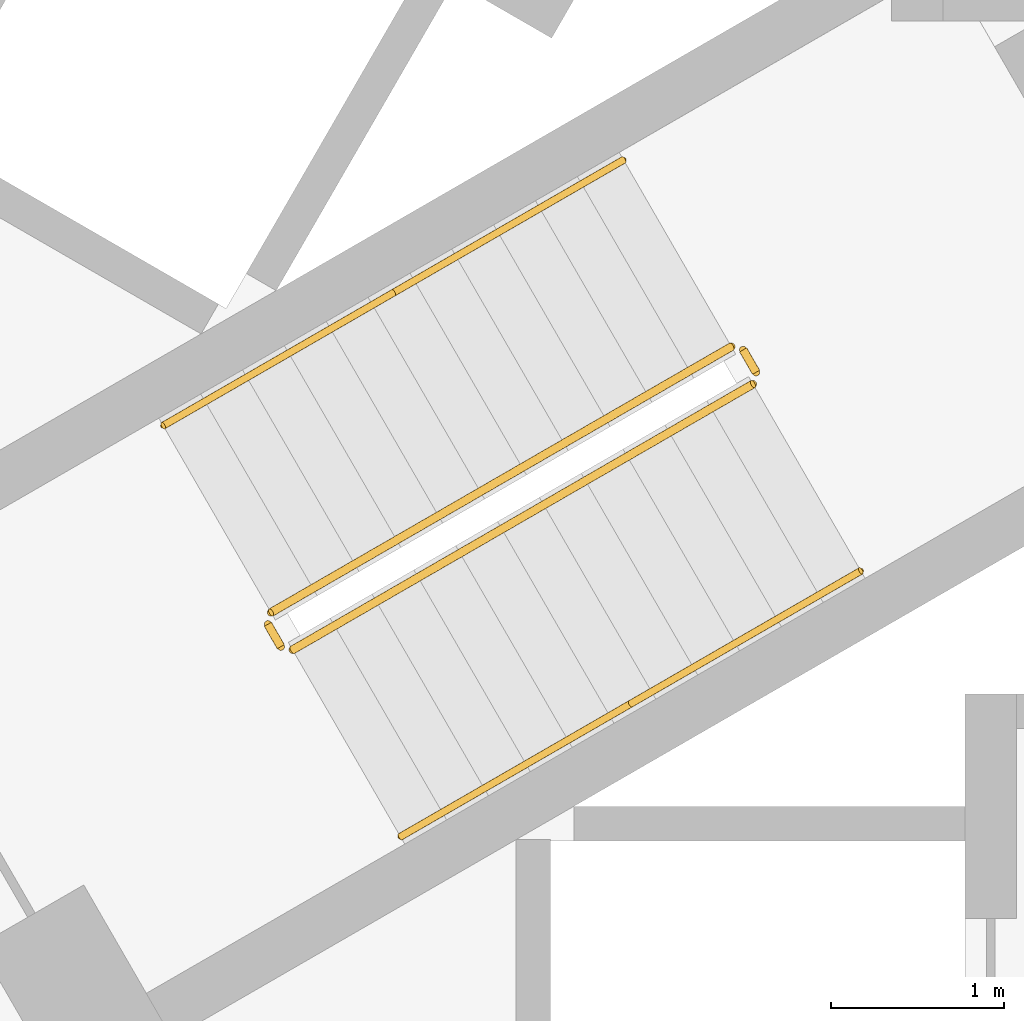
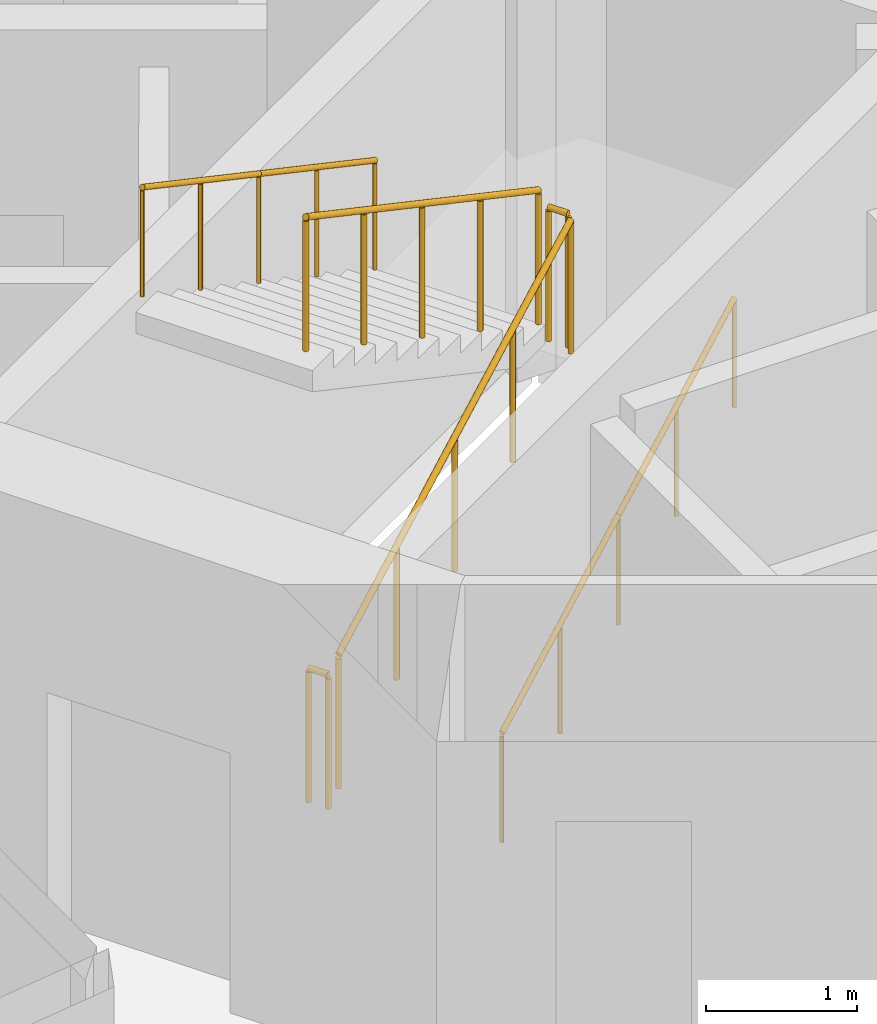
# One storey, part 11 of 15: 8 railings.
"""IFC4 building model written with IfcOpenShell, lengths in metres."""

from ifc_helpers import new_model, si_unit, direction, frame, origin, origin_2d, place, context, subcontext, project, spatial, circle, extrude, material, type_object, element, save


model = new_model("IFC4")

# Units and contexts
model_context = context("Model", 3, precision=1e-05, world=origin(), true_north=direction((0.0, 1.0)))
body_context = subcontext(model_context, "Body", "Model", "MODEL_VIEW")
ifc_project = project(units=[si_unit("LENGTHUNIT", "METRE"), si_unit("AREAUNIT", "SQUARE_METRE"), si_unit("VOLUMEUNIT", "CUBIC_METRE"), si_unit("PLANEANGLEUNIT", "RADIAN"), si_unit("MASSUNIT", "GRAM", prefix="KILO")], contexts=[model_context])

# Site, building, storey
site_placement = place(None, origin())
site = spatial("IfcSite", under=ifc_project, at=site_placement, CompositionType="ELEMENT")
building_placement = place(site_placement, origin())
building = spatial("IfcBuilding", under=site, at=building_placement, Name="Trine Commons Tower", CompositionType="ELEMENT")
storey_placement = place(building_placement, frame((0.0, 0.0, 260.10009765625)))
storey = spatial("IfcBuildingStorey", under=building, at=storey_placement, Name="L68", CompositionType="ELEMENT", Elevation=260.10009765625)

# Railings
ifc_material_1 = material(Name="Stainless steel balustrade", Category="steel")
railing_type_1 = type_object("IfcRailingType", Name="Stair guard, steel balustrade 1100", PredefinedType="GUARDRAIL", material=ifc_material_1)
railing_1_placement = place(storey_placement, frame((74.80517578125, 59.3564453125, 0.14990234375)))
element("IfcRailing", 1, at=railing_1_placement, inside=storey, type_object=railing_type_1, Name="L68 ST2C stair guard 1", PredefinedType="GUARDRAIL", context=body_context, shape_type="SweptSolid", body=[
    extrude(circle(Radius=0.02392578125, at=origin_2d()), frame((0.0, 0.0, 1.076171875), z_axis=(0.76340495495, 0.440743040072, 0.472184759798), x_axis=(-0.499992328818, 0.866029832698, 0.0)), (0.0, 0.0, 1.0), 3.494140625),
    extrude(circle(Radius=0.02099609375, at=origin_2d()), origin(), (0.0, 0.0, 1.0), 1.052001953125),
    extrude(circle(Radius=0.02099609375, at=origin_2d()), frame((0.6669921875, 0.385009765625, 0.41259765625)), (0.0, 0.0, 1.0), 1.052001953125),
    extrude(circle(Radius=0.02099609375, at=origin_2d()), frame((1.333740234375, 0.77001953125, 0.824951171875)), (0.0, 0.0, 1.0), 1.052001953125),
    extrude(circle(Radius=0.02099609375, at=origin_2d()), frame((2.00048828125, 1.155029296875, 1.2373046875)), (0.0, 0.0, 1.0), 1.052001953125),
    extrude(circle(Radius=0.02099609375, at=origin_2d()), frame((2.66748046875, 1.5400390625, 1.64990234375)), (0.0, 0.0, 1.0), 1.052001953125),
])
railing_2_placement = place(storey_placement, frame((77.490966796875, 60.96484375, 1.7998046875)))
element("IfcRailing", 2, at=railing_2_placement, inside=storey, type_object=railing_type_1, Name="L68 ST2C stair guard 2", PredefinedType="GUARDRAIL", context=body_context, shape_type="SweptSolid", body=[
    extrude(circle(Radius=0.02392578125, at=origin_2d()), frame((0.0, 0.0, 1.076171875), z_axis=(-0.501036270542, 0.865426285481, 0.0), x_axis=(-0.865426285481, -0.501036270542, 0.0)), (0.0, 0.0, 1.0), 0.150146484375),
    extrude(circle(Radius=0.02099609375, at=origin_2d()), origin(), (0.0, 0.0, 1.0), 1.052001953125),
    extrude(circle(Radius=0.02099609375, at=origin_2d()), frame((-0.0751953125, 0.1298828125, 0.0)), (0.0, 0.0, 1.0), 1.052001953125),
])
railing_3_placement = place(storey_placement, frame((77.34765625, 61.113037109375, 1.949951171875)))
element("IfcRailing", 3, at=railing_3_placement, inside=storey, type_object=railing_type_1, Name="L68 ST2C stair guard 3", PredefinedType="GUARDRAIL", context=body_context, shape_type="SweptSolid", body=[
    extrude(circle(Radius=0.02392578125, at=origin_2d()), frame((0.0, 0.0, 1.076171875), z_axis=(-0.76340495495, -0.440743040072, 0.472184759798), x_axis=(0.499992328818, -0.866029832698, 0.0)), (0.0, 0.0, 1.0), 3.494140625),
    extrude(circle(Radius=0.02099609375, at=origin_2d()), origin(), (0.0, 0.0, 1.0), 1.052001953125),
    extrude(circle(Radius=0.02099609375, at=origin_2d()), frame((-0.6669921875, -0.385009765625, 0.41259765625)), (0.0, 0.0, 1.0), 1.052001953125),
    extrude(circle(Radius=0.02099609375, at=origin_2d()), frame((-1.333740234375, -0.77001953125, 0.824951171875)), (0.0, 0.0, 1.0), 1.052001953125),
    extrude(circle(Radius=0.02099609375, at=origin_2d()), frame((-2.00048828125, -1.155029296875, 1.2373046875)), (0.0, 0.0, 1.0), 1.052001953125),
    extrude(circle(Radius=0.02099609375, at=origin_2d()), frame((-2.66748046875, -1.5400390625, 1.64990234375)), (0.0, 0.0, 1.0), 1.052001953125),
])
railing_4_placement = place(storey_placement, frame((74.73681640625, 59.374755859375, 0.0)))
element("IfcRailing", 4, at=railing_4_placement, inside=storey, type_object=railing_type_1, Name="L68 ST2C stair guard 4", PredefinedType="GUARDRAIL", context=body_context, shape_type="SweptSolid", body=[
    extrude(circle(Radius=0.02392578125, at=origin_2d()), frame((0.0, 0.0, 1.076171875), z_axis=(-0.499816412211, 0.866131372301, 0.0), x_axis=(-0.866131372301, -0.499816412211, 0.0)), (0.0, 0.0, 1.0), 0.14990234375),
    extrude(circle(Radius=0.02099609375, at=origin_2d()), origin(), (0.0, 0.0, 1.0), 1.052001953125),
    extrude(circle(Radius=0.02099609375, at=origin_2d()), frame((-0.074951171875, 0.1298828125, 0.0)), (0.0, 0.0, 1.0), 1.052001953125),
])
ifc_material_2 = material(Name="Stainless steel handrail", Category="steel")
railing_type_2 = type_object("IfcRailingType", Name="Stair handrail, steel 900", PredefinedType="HANDRAIL", material=ifc_material_2)
for number, where, name in (
    (5, (75.43017578125, 58.27392578125, 0.14990234375), "L68 ST2C stair handrail 1"),
    (6, (76.763916015625, 59.0439453125, 0.974853515625), "L68 ST2C stair handrail 2"),
):
    element("IfcRailing", number, at=place(storey_placement, frame(where)), inside=storey, type_object=railing_type_2, Name=name, PredefinedType="HANDRAIL", context=body_context, shape_type="SweptSolid", body=[
        extrude(circle(Radius=0.02099609375, at=origin_2d()), frame((0.0, 0.0, 0.87890625), z_axis=(0.76340495495, 0.440743040072, 0.472184759798), x_axis=(-0.499992328818, 0.866029832698, 0.0)), (0.0, 0.0, 1.0), 1.7470703125),
        extrude(circle(Radius=0.01513671875, at=origin_2d()), origin(), (0.0, 0.0, 1.0), 0.85791015625),
        extrude(circle(Radius=0.01513671875, at=origin_2d()), frame((0.6669921875, 0.385009765625, 0.41259765625)), (0.0, 0.0, 1.0), 0.85791015625),
        extrude(circle(Radius=0.01513671875, at=origin_2d()), frame((1.333740234375, 0.77001953125, 0.824951171875)), (0.0, 0.0, 1.0), 0.85791015625),
    ])
for number, where, name in (
    (7, (76.72265625, 62.195556640625, 1.949951171875), "L68 ST2C stair handrail 3"),
    (8, (75.388916015625, 61.425537109375, 2.77490234375), "L68 ST2C stair handrail 4"),
):
    element("IfcRailing", number, at=place(storey_placement, frame(where)), inside=storey, type_object=railing_type_2, Name=name, PredefinedType="HANDRAIL", context=body_context, shape_type="SweptSolid", body=[
        extrude(circle(Radius=0.02099609375, at=origin_2d()), frame((0.0, 0.0, 0.87890625), z_axis=(-0.76340495495, -0.440743040072, 0.472184759798), x_axis=(0.499992328818, -0.866029832698, 0.0)), (0.0, 0.0, 1.0), 1.7470703125),
        extrude(circle(Radius=0.01513671875, at=origin_2d()), origin(), (0.0, 0.0, 1.0), 0.85791015625),
        extrude(circle(Radius=0.01513671875, at=origin_2d()), frame((-0.6669921875, -0.385009765625, 0.41259765625)), (0.0, 0.0, 1.0), 0.85791015625),
        extrude(circle(Radius=0.01513671875, at=origin_2d()), frame((-1.333740234375, -0.77001953125, 0.824951171875)), (0.0, 0.0, 1.0), 0.85791015625),
    ])

save(model, "model.ifc")
